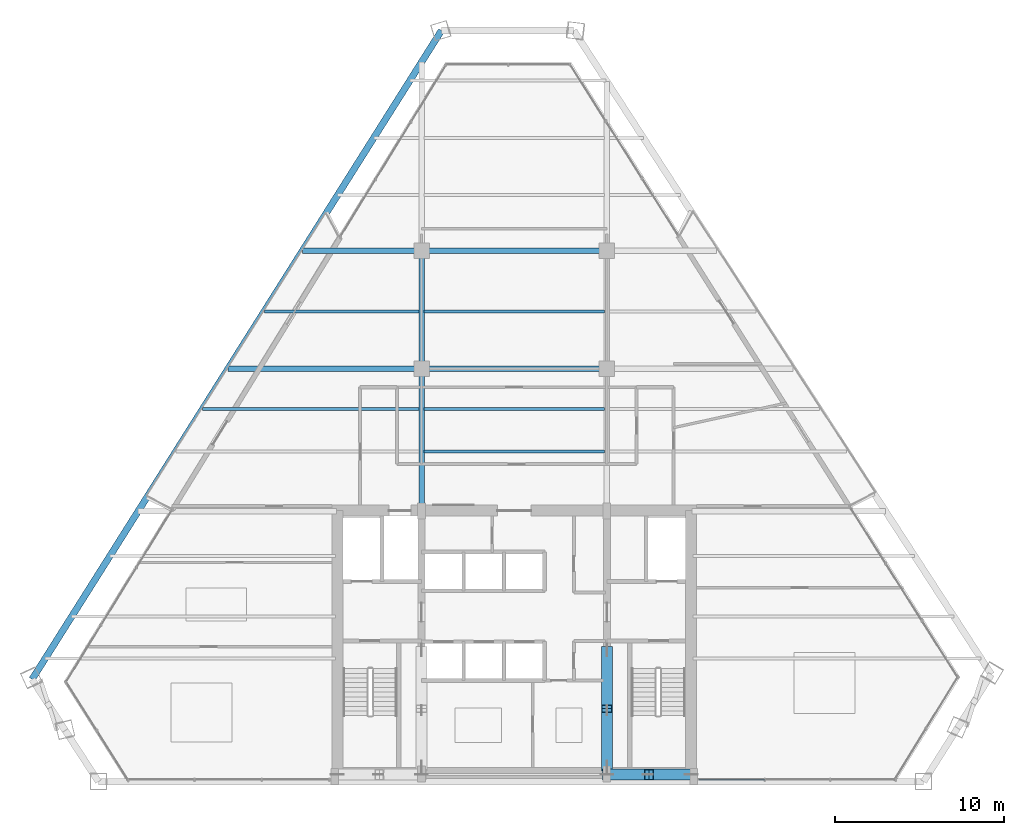
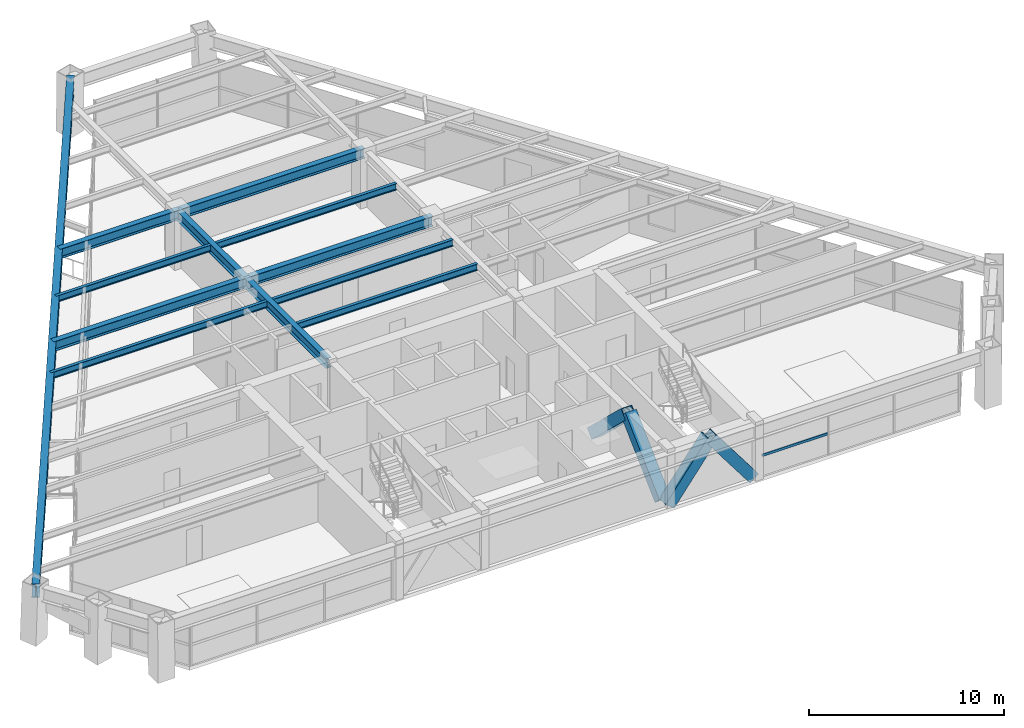
# One storey, part 5 of 15: 12 beams, 5 members, 1 element without a shape of its own.
"""IFC4 building model written with IfcOpenShell, lengths in metres."""

from ifc_helpers import new_model, si_unit, direction, frame, origin, origin_2d, place, context, subcontext, project, spatial, rectangle, hollow_rectangle, i_section, extrude, source, transform, mapped, material, material_profile, profile_set, type_object, type_shapes, element, aggregate, save


model = new_model("IFC4")

# Units and contexts
model_context = context("Model", 3, precision=1e-05, world=origin(), true_north=direction((0.0, 1.0)))
body_context = subcontext(model_context, "Body", "Model", "MODEL_VIEW")
ifc_project = project(units=[si_unit("LENGTHUNIT", "METRE"), si_unit("AREAUNIT", "SQUARE_METRE"), si_unit("VOLUMEUNIT", "CUBIC_METRE"), si_unit("PLANEANGLEUNIT", "RADIAN"), si_unit("MASSUNIT", "GRAM", prefix="KILO")], contexts=[model_context])

# Site, building, storey
site_placement = place(None, origin())
site = spatial("IfcSite", under=ifc_project, at=site_placement, CompositionType="ELEMENT")
building_placement = place(site_placement, origin())
building = spatial("IfcBuilding", under=site, at=building_placement, Name="Varnakhor Terracotta Tower", CompositionType="ELEMENT")
storey_placement = place(building_placement, frame((0.0, 0.0, 193.199951171875)))
storey = spatial("IfcBuildingStorey", under=building, at=storey_placement, Name="L49", CompositionType="ELEMENT", Elevation=193.199951171875)

# Beams
ifc_material_1 = material(Name="Steel S355", Category="steel")
ifc_material_profile_1 = material_profile(ifc_material_1, i_section(OverallWidth=0.324951171875, OverallDepth=0.615966796875, WebThickness=0.013916015625, FlangeThickness=0.02197265625, FilletRadius=0.01806640625, at=origin_2d()), Name="W24X117")
ifc_profile_set_1 = profile_set([ifc_material_profile_1], Name="Steel S355")
beam_type_1 = type_object("IfcBeamType", Name="BM-W24X117", PredefinedType="BEAM", material=ifc_profile_set_1)
shared_shape_1 = source(origin(), body_context, "Body", "SweptSolid", [
    extrude(i_section(OverallWidth=0.324951171875, OverallDepth=0.615966796875, WebThickness=0.013916015625, FlangeThickness=0.02197265625, FilletRadius=0.01806640625, at=origin_2d()), origin(), (0.0, 0.0, 1.0), 8.449951171875),
])
type_shapes(beam_type_1, [shared_shape_1])
beam_1_placement = place(storey_placement, frame((-5.5, 16.050048828125, 3.162109375), z_axis=(0.0, 1.0, 0.0), x_axis=(-1.0, 0.0, 0.0)))
element("IfcBeam", 1, at=beam_1_placement, inside=storey, type_object=beam_type_1, Name="L49 Primary Girder NS1-W", PredefinedType="BEAM", context=body_context, shape_type="MappedRepresentation", body=[
    mapped(shared_shape_1, transform((0.0, 0.0, 0.0), scale=1.0)),
])
shared_shape_2 = source(origin(), body_context, "Body", "SweptSolid", [
    extrude(i_section(OverallWidth=0.324951171875, OverallDepth=0.615966796875, WebThickness=0.013916015625, FlangeThickness=0.02197265625, FilletRadius=0.01806640625, at=origin_2d()), origin(), (0.0, 0.0, 1.0), 7.0),
])
beam_2_placement = place(storey_placement, frame((-5.5, 24.5, 3.162109375), z_axis=(0.0, 1.0, 0.0), x_axis=(-1.0, 0.0, 0.0)))
element("IfcBeam", 2, at=beam_2_placement, inside=storey, type_object=beam_type_1, Name="L49 Primary Girder NS2-W", PredefinedType="BEAM", context=body_context, shape_type="MappedRepresentation", body=[
    mapped(shared_shape_2, transform((0.0, 0.0, 0.0), scale=1.0)),
])
shared_shape_3 = source(origin(), body_context, "Body", "SweptSolid", [
    extrude(i_section(OverallWidth=0.324951171875, OverallDepth=0.615966796875, WebThickness=0.013916015625, FlangeThickness=0.02197265625, FilletRadius=0.01806640625, at=origin_2d()), origin(), (0.0, 0.0, 1.0), 11.0),
])
for number, where, z_axis, x_axis, name in (
    (3, (-5.5, 24.5, 3.162109375), (1.0, 0.0, 0.0), (0.0, 1.0, 0.0), "L49 Primary Girder EW2-2"),
    (4, (-5.5, 31.5, 3.162109375), (1.0, 0.0, 0.0), (0.0, 1.0, 0.0), "L49 Primary Girder EW3-2"),
):
    element("IfcBeam", number, at=place(storey_placement, frame(where, z_axis=z_axis, x_axis=x_axis)), inside=storey, type_object=beam_type_1, Name=name, PredefinedType="BEAM", context=body_context, shape_type="MappedRepresentation", body=[
        mapped(shared_shape_3, transform((0.0, 0.0, 0.0), scale=1.0)),
    ])
ifc_material_profile_2 = material_profile(ifc_material_1, i_section(OverallWidth=0.179931640625, OverallDepth=0.4130859375, WebThickness=0.009765625, FlangeThickness=0.01611328125, FilletRadius=0.01806640625, at=origin_2d()), Name="W16X50")
ifc_profile_set_2 = profile_set([ifc_material_profile_2], Name="Steel S355")
beam_type_2 = type_object("IfcBeamType", Name="JST-W16X50", PredefinedType="JOIST", material=ifc_profile_set_2)
shared_shape_4 = source(origin(), body_context, "Body", "SweptSolid", [
    extrude(i_section(OverallWidth=0.179931640625, OverallDepth=0.4130859375, WebThickness=0.009765625, FlangeThickness=0.01611328125, FilletRadius=0.01806640625, at=origin_2d()), origin(), (0.0, 0.0, 1.0), 10.68310546875),
])
for number, where, z_axis, x_axis, name in (
    (5, (-5.341552734375, 19.60009765625, 3.263427734375), (1.0, 0.0, 0.0), (0.0, 1.0, 0.0), "L49 Composite Floor Joist 4-2"),
    (6, (-5.341552734375, 22.10009765625, 3.263427734375), (1.0, 0.0, 0.0), (0.0, 1.0, 0.0), "L49 Composite Floor Joist 5-2"),
    (7, (-5.341552734375, 27.89990234375, 3.263427734375), (1.0, 0.0, 0.0), (0.0, 1.0, 0.0), "L49 Composite Floor Joist 6-2"),
):
    element("IfcBeam", number, at=place(storey_placement, frame(where, z_axis=z_axis, x_axis=x_axis)), inside=storey, type_object=beam_type_2, Name=name, PredefinedType="JOIST", context=body_context, shape_type="MappedRepresentation", body=[
        mapped(shared_shape_4, transform((0.0, 0.0, 0.0), scale=1.0)),
    ])

# Members
ifc_material_2 = material(Name="Steel S460", Category="steel")
ifc_material_profile_3 = material_profile(ifc_material_2, hollow_rectangle(XDim=0.64990234375, YDim=0.64990234375, WallThickness=0.0400390625, at=origin_2d()), Name="HSS650X650X40")
ifc_profile_set_3 = profile_set([ifc_material_profile_3], Name="Steel S460")
member_type_1 = type_object("IfcMemberType", Name="MBR-MEGA-650", PredefinedType="BRACE", material=ifc_profile_set_3)
shared_shape_5 = source(origin(), body_context, "Body", "SweptSolid", [
    extrude(hollow_rectangle(XDim=0.64990234375, YDim=0.64990234375, WallThickness=0.0400390625, at=origin_2d()), origin(), (0.0, 0.0, 1.0), 4.805908203125),
])
member_1_placement = place(storey_placement, frame((5.5, 0.85009765625, 0.0), z_axis=(0.0, 0.723026776832, 0.69082000549), x_axis=(-1.0, 0.0, 0.0)))
element("IfcMember", 8, at=member_1_placement, inside=storey, type_object=member_type_1, Name="L49 Core Coupled Brace CWEA", PredefinedType="BRACE", context=body_context, shape_type="MappedRepresentation", body=[
    mapped(shared_shape_5, transform((0.0, 0.0, 0.0), scale=1.0)),
])
shared_shape_6 = source(origin(), body_context, "Body", "SweptSolid", [
    extrude(hollow_rectangle(XDim=0.64990234375, YDim=0.64990234375, WallThickness=0.0400390625, at=origin_2d()), origin(), (0.0, 0.0, 1.0), 4.156005859375),
])
for number, where, z_axis, x_axis, name in (
    (9, (5.5, 0.419921875, 0.0), (0.601530923869, 0.0, 0.798849515009), (0.0, 1.0, 0.0), "L49 Core Coupled Brace CSEA"),
    (10, (10.5, 0.419921875, 0.0), (-0.601530923869, 0.0, 0.798849515009), (0.0, -1.0, 0.0), "L49 Core Coupled Brace CSEB"),
):
    element("IfcMember", number, at=place(storey_placement, frame(where, z_axis=z_axis, x_axis=x_axis)), inside=storey, type_object=member_type_1, Name=name, PredefinedType="BRACE", context=body_context, shape_type="MappedRepresentation", body=[
        mapped(shared_shape_6, transform((0.0, 0.0, 0.0), scale=1.0)),
    ])
shared_shape_7 = source(origin(), body_context, "Body", "SweptSolid", [
    extrude(hollow_rectangle(XDim=0.64990234375, YDim=0.64990234375, WallThickness=0.0400390625, at=origin_2d()), origin(), (0.0, 0.0, 1.0), 4.80615234375),
])
member_2_placement = place(storey_placement, frame((5.5, 7.800048828125, 0.0), z_axis=(0.0, -0.723051018573, 0.690794632681), x_axis=(1.0, 0.0, 0.0)))
element("IfcMember", 11, at=member_2_placement, inside=storey, type_object=member_type_1, Name="L49 Core Coupled Brace CWEB", PredefinedType="BRACE", context=body_context, shape_type="MappedRepresentation", body=[
    mapped(shared_shape_7, transform((0.0, 0.0, 0.0), scale=1.0)),
])

# Beams
ifc_material_profile_4 = material_profile(ifc_material_1, i_section(OverallWidth=0.39990234375, OverallDepth=0.85498046875, WebThickness=0.01806640625, FlangeThickness=0.029052734375, FilletRadius=0.01806640625, at=origin_2d()), Name="W33X201")
ifc_profile_set_4 = profile_set([ifc_material_profile_4], Name="Steel S355")
beam_type_3 = type_object("IfcBeamType", Name="BM-W33X201", PredefinedType="BEAM", material=ifc_profile_set_4)
shared_shape_8 = source(origin(), body_context, "Body", "SweptSolid", [
    extrude(i_section(OverallWidth=0.39990234375, OverallDepth=0.85498046875, WebThickness=0.01806640625, FlangeThickness=0.029052734375, FilletRadius=0.01806640625, at=origin_2d()), origin(), (0.0, 0.0, 1.0), 45.521728515625),
])
beam_3_placement = place(storey_placement, frame((-4.314697265625, 44.565673828125, 3.04248046875), z_axis=(-0.533650119685, -0.84570535635, 0.0), x_axis=(0.84570535635, -0.533650119685, 0.0)))
element("IfcBeam", 12, at=beam_3_placement, inside=storey, type_object=beam_type_3, Name="L49 Perimeter Spandrel 6", PredefinedType="BEAM", context=body_context, shape_type="MappedRepresentation", body=[
    mapped(shared_shape_8, transform((0.0, 0.0, 0.0), scale=1.0)),
])
shared_shape_9 = source(origin(), body_context, "Body", "SweptSolid", [
    extrude(i_section(OverallWidth=0.324951171875, OverallDepth=0.615966796875, WebThickness=0.013916015625, FlangeThickness=0.02197265625, FilletRadius=0.01806640625, at=origin_2d()), origin(), (0.0, 0.0, 1.0), 11.476318359375),
])
beam_4_placement = place(storey_placement, frame((-16.976318359375, 24.5, 3.162109375), z_axis=(1.0, 0.0, 0.0), x_axis=(0.0, 1.0, 0.0)))
element("IfcBeam", 13, at=beam_4_placement, inside=storey, type_object=beam_type_1, Name="L49 Primary Girder EW2-1", PredefinedType="BEAM", context=body_context, shape_type="MappedRepresentation", body=[
    mapped(shared_shape_9, transform((0.0, 0.0, 0.0), scale=1.0)),
])
shared_shape_10 = source(origin(), body_context, "Body", "SweptSolid", [
    extrude(i_section(OverallWidth=0.324951171875, OverallDepth=0.615966796875, WebThickness=0.013916015625, FlangeThickness=0.02197265625, FilletRadius=0.01806640625, at=origin_2d()), origin(), (0.0, 0.0, 1.0), 7.059326171875),
])
beam_5_placement = place(storey_placement, frame((-12.559326171875, 31.5, 3.162109375), z_axis=(1.0, 0.0, 0.0), x_axis=(0.0, 1.0, 0.0)))
element("IfcBeam", 14, at=beam_5_placement, inside=storey, type_object=beam_type_1, Name="L49 Primary Girder EW3-1", PredefinedType="BEAM", context=body_context, shape_type="MappedRepresentation", body=[
    mapped(shared_shape_10, transform((0.0, 0.0, 0.0), scale=1.0)),
])
shared_shape_11 = source(origin(), body_context, "Body", "SweptSolid", [
    extrude(i_section(OverallWidth=0.179931640625, OverallDepth=0.4130859375, WebThickness=0.009765625, FlangeThickness=0.01611328125, FilletRadius=0.01806640625, at=origin_2d()), origin(), (0.0, 0.0, 1.0), 12.832275390625),
])
beam_6_placement = place(storey_placement, frame((-18.49072265625, 22.10009765625, 3.263427734375), z_axis=(1.0, 0.0, 0.0), x_axis=(0.0, 1.0, 0.0)))
element("IfcBeam", 15, at=beam_6_placement, inside=storey, type_object=beam_type_2, Name="L49 Composite Floor Joist 5-1", PredefinedType="JOIST", context=body_context, shape_type="MappedRepresentation", body=[
    mapped(shared_shape_11, transform((0.0, 0.0, 0.0), scale=1.0)),
])
shared_shape_12 = source(origin(), body_context, "Body", "SweptSolid", [
    extrude(i_section(OverallWidth=0.179931640625, OverallDepth=0.4130859375, WebThickness=0.009765625, FlangeThickness=0.01611328125, FilletRadius=0.01806640625, at=origin_2d()), origin(), (0.0, 0.0, 1.0), 9.172607421875),
])
beam_7_placement = place(storey_placement, frame((-14.8310546875, 27.89990234375, 3.263427734375), z_axis=(1.0, 0.0, 0.0), x_axis=(0.0, 1.0, 0.0)))
element("IfcBeam", 16, at=beam_7_placement, inside=storey, type_object=beam_type_2, Name="L49 Composite Floor Joist 6-1", PredefinedType="JOIST", context=body_context, shape_type="MappedRepresentation", body=[
    mapped(shared_shape_12, transform((0.0, 0.0, 0.0), scale=1.0)),
])

# Curtain wall, member
ifc_material_3 = material(Name="Anodised Aluminium Curtain Wall System", Category="aluminium")
curtain_wall_type = type_object("IfcCurtainWallType", Name="CW-SYS-MID-OFFICE", PredefinedType="NOTDEFINED", material=ifc_material_3)
curtain_wall_placement = place(storey_placement, origin())
curtain_wall = element("IfcCurtainWall", 17, at=curtain_wall_placement, inside=storey, type_object=curtain_wall_type, Name="L49 South Wing Curtain Wall SSE", PredefinedType="NOTDEFINED")
ifc_material_4 = material(Name="Anodised Aluminium 6063-T6", Category="aluminium")
ifc_material_profile_5 = material_profile(ifc_material_4, rectangle(XDim=0.070068359375, YDim=0.155029296875, at=origin_2d()), Name="ALU TRANSOM 70x155")
ifc_profile_set_5 = profile_set([ifc_material_profile_5], Name="Anodised Aluminium 6063-T6")
member_type_2 = type_object("IfcMemberType", Name="CWT-03", PredefinedType="USERDEFINED", material=ifc_profile_set_5)
shared_shape_13 = source(origin(), body_context, "Body", "SweptSolid", [
    extrude(rectangle(XDim=0.070068359375, YDim=0.155029296875, at=origin_2d()), origin(), (0.0, 0.0, 1.0), 3.885498046875),
])
member_3_placement = place(storey_placement, frame((14.85546875, 0.1201171875, 1.281005859375), z_axis=(-1.0, 0.0, 0.0), x_axis=(0.0, -1.0, 0.0)))
member_3 = element("IfcMember", 18, at=member_3_placement, type_object=member_type_2, Name="L49 South Wing Curtain Wall SSE Transom 3", ObjectType="TRANSOM", PredefinedType="USERDEFINED", context=body_context, shape_type="MappedRepresentation", body=[
    mapped(shared_shape_13, transform((0.0, 0.0, 0.0), scale=1.0)),
])
aggregate(curtain_wall, [member_3])

save(model, "model.ifc")
